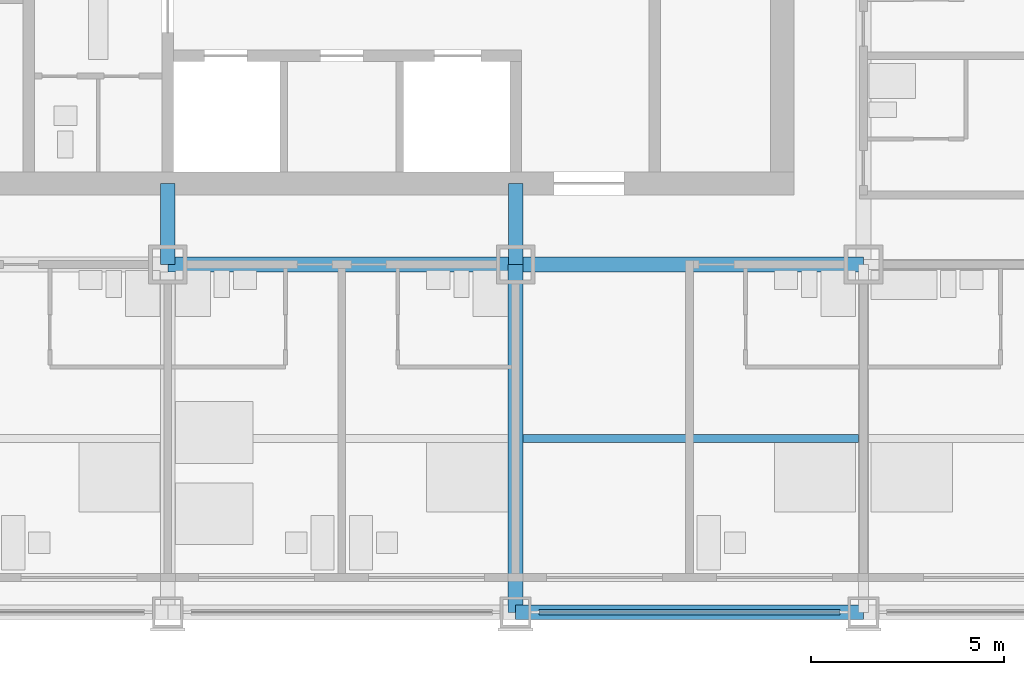
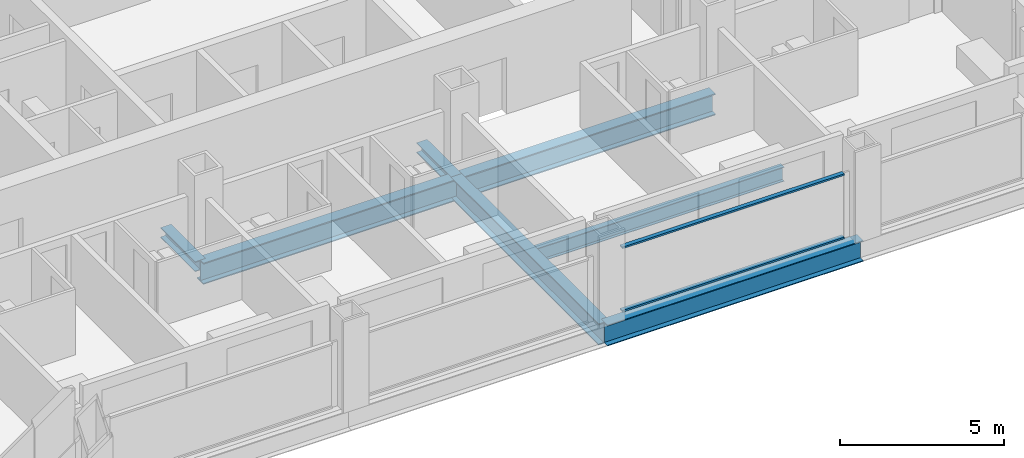
# One storey, part 3 of 13: 5 beams, 4 members, 1 element without a shape of its own.
"""IFC4 building model written with IfcOpenShell, lengths in metres."""

from ifc_helpers import new_model, si_unit, direction, frame, origin, origin_2d, place, context, subcontext, project, spatial, rectangle, i_section, extrude, material, material_profile, profile_set, type_object, element, aggregate, save


model = new_model("IFC4")

# Units and contexts
model_context = context("Model", 3, precision=1e-05, world=origin(), true_north=direction((0.0, 1.0)))
body_context = subcontext(model_context, "Body", "Model", "MODEL_VIEW")
ifc_project = project(units=[si_unit("LENGTHUNIT", "METRE"), si_unit("AREAUNIT", "SQUARE_METRE"), si_unit("VOLUMEUNIT", "CUBIC_METRE"), si_unit("PLANEANGLEUNIT", "RADIAN"), si_unit("MASSUNIT", "GRAM", prefix="KILO")], contexts=[model_context])

# Site, building, storey
site_placement = place(None, origin())
site = spatial("IfcSite", under=ifc_project, at=site_placement, CompositionType="ELEMENT")
building_placement = place(site_placement, origin())
building = spatial("IfcBuilding", under=site, at=building_placement, Name="Loomwork Tower", CompositionType="ELEMENT")
storey_placement = place(building_placement, frame((0.0, 0.0, 163.800048828125)))
storey = spatial("IfcBuildingStorey", under=building, at=storey_placement, Name="L44", CompositionType="ELEMENT", Elevation=163.800048828125)

# Beams
ifc_material_1 = material(Name="Steel ASTM A992", Category="steel")
ifc_material_profile_1 = material_profile(ifc_material_1, i_section(OverallWidth=0.383544921875, OverallDepth=0.794921875, WebThickness=0.02099609375, FlangeThickness=0.0380859375, at=origin_2d()), Name="W30x235")
ifc_profile_set_1 = profile_set([ifc_material_profile_1], Name="Steel ASTM A992")
beam_type_1 = type_object("IfcBeamType", Name="CORE FLANK GIRDER W30x235", PredefinedType="BEAM", material=ifc_profile_set_1)
for number, where, z_axis, x_axis, name in (
    (1, (18.0, 9.0, -0.59765625), (1.0, 0.0, 0.0), (0.0, 1.0, 0.0), "Core Flank Girder E/4-E/5 L44"),
    (2, (27.0, 9.0, -0.59765625), (1.0, 0.0, 0.0), (0.0, 1.0, 0.0), "Core Flank Girder E/5-E/6 L44"),
    (3, (27.0, 0.0, -0.59765625), (0.0, 1.0, 0.0), (-1.0, 0.0, 0.0), "Core Flank Girder D/5-E/5 L44"),
):
    element("IfcBeam", number, at=place(storey_placement, frame(where, z_axis=z_axis, x_axis=x_axis)), inside=storey, type_object=beam_type_1, Name=name, PredefinedType="BEAM", context=body_context, shape_type="SweptSolid", body=[
        extrude(i_section(OverallWidth=0.383544921875, OverallDepth=0.794921875, WebThickness=0.02099609375, FlangeThickness=0.0380859375, at=origin_2d()), origin(), (0.0, 0.0, 1.0), 9.0),
    ])

# Members
ifc_material_2 = material(Name="Steel ASTM A992", Category="steel")
ifc_material_profile_2 = material_profile(ifc_material_2, i_section(OverallWidth=0.373291015625, OverallDepth=0.373291015625, WebThickness=0.016357421875, FlangeThickness=0.026123046875, at=origin_2d()), Name="W14x132")
ifc_profile_set_2 = profile_set([ifc_material_profile_2], Name="Steel ASTM A992")
member_type_1 = type_object("IfcMemberType", Name="CORE LINK STRUT W14x132", PredefinedType="STRUT", material=ifc_profile_set_2)
for number, where, z_axis, x_axis, name in (
    (4, (27.0, 9.0, -0.38671875), (0.0, 1.0, 0.0), (-1.0, 0.0, 0.0), "Core link strut E/5-27.000,11.100 L44"),
    (5, (18.0, 9.0, -0.38671875), (0.0, 1.0, 0.0), (-1.0, 0.0, 0.0), "Core link strut E/4-18.000,11.100 L44"),
):
    element("IfcMember", number, at=place(storey_placement, frame(where, z_axis=z_axis, x_axis=x_axis)), inside=storey, type_object=member_type_1, Name=name, PredefinedType="STRUT", context=body_context, shape_type="SweptSolid", body=[
        extrude(i_section(OverallWidth=0.373291015625, OverallDepth=0.373291015625, WebThickness=0.016357421875, FlangeThickness=0.026123046875, at=origin_2d()), origin(), (0.0, 0.0, 1.0), 2.10009765625),
    ])

# Beam
ifc_material_3 = material(Name="Steel ASTM A992", Category="steel")
ifc_material_profile_3 = material_profile(ifc_material_3, i_section(OverallWidth=0.2109375, OverallDepth=0.53857421875, WebThickness=0.011474609375, FlangeThickness=0.018798828125, at=origin_2d()), Name="W21x73")
ifc_profile_set_3 = profile_set([ifc_material_profile_3], Name="Steel ASTM A992")
beam_type_2 = type_object("IfcBeamType", Name="FLOOR JOIST W21x73", PredefinedType="JOIST", material=ifc_profile_set_3)
beam_1_placement = place(storey_placement, frame((27.19091796875, 4.5, -0.46923828125), z_axis=(1.0, 0.0, 0.0), x_axis=(0.0, 1.0, 0.0)))
element("IfcBeam", 6, at=beam_1_placement, inside=storey, type_object=beam_type_2, Name="Floor Joist 27.000,4.500-36.000,4.500 L44", PredefinedType="JOIST", context=body_context, shape_type="SweptSolid", body=[
    extrude(i_section(OverallWidth=0.2109375, OverallDepth=0.53857421875, WebThickness=0.011474609375, FlangeThickness=0.018798828125, at=origin_2d()), origin(), (0.0, 0.0, 1.0), 8.676025390625),
])

# Curtain wall, members
ifc_material_4 = material(Name="Aluminium curtain wall frame", Category="aluminium")
curtain_wall_type = type_object("IfcCurtainWallType", Name="Outer skin glazing hotel", PredefinedType="NOTDEFINED", material=ifc_material_4)
curtain_wall_placement = place(storey_placement, origin())
curtain_wall = element("IfcCurtainWall", 7, at=curtain_wall_placement, inside=storey, type_object=curtain_wall_type, Name="Outer skin glazing hotel cw/S-27", PredefinedType="NOTDEFINED")
ifc_material_5 = material(Name="Aluminium curtain wall frame", Category="aluminium")
ifc_material_profile_4 = material_profile(ifc_material_5, rectangle(XDim=0.14990234375, YDim=0.06494140625, at=origin_2d()), Name="AL 65x150")
ifc_profile_set_4 = profile_set([ifc_material_profile_4], Name="Aluminium curtain wall frame")
member_type_2 = type_object("IfcMemberType", Name="Outer skin glazing hotel transom", PredefinedType="USERDEFINED", material=ifc_profile_set_4)
member_1_placement = place(storey_placement, frame((27.60009765625, 0.0, 0.032470703125), z_axis=(1.0, 0.0, 0.0), x_axis=(0.0, 1.0, 0.0)))
member_1 = element("IfcMember", 8, at=member_1_placement, type_object=member_type_2, Name="CW1 transom 1.1", ObjectType="TRANSOM", PredefinedType="USERDEFINED", context=body_context, shape_type="SweptSolid", body=[
    extrude(rectangle(XDim=0.14990234375, YDim=0.06494140625, at=origin_2d()), origin(), (0.0, 0.0, 1.0), 7.7998046875),
])
member_2_placement = place(storey_placement, frame((27.60009765625, 0.0, 2.3876953125), z_axis=(1.0, 0.0, 0.0), x_axis=(0.0, 1.0, 0.0)))
member_2 = element("IfcMember", 9, at=member_2_placement, type_object=member_type_2, Name="CW1 transom 1.2", ObjectType="TRANSOM", PredefinedType="USERDEFINED", context=body_context, shape_type="SweptSolid", body=[
    extrude(rectangle(XDim=0.14990234375, YDim=0.06494140625, at=origin_2d()), origin(), (0.0, 0.0, 1.0), 7.7998046875),
])
aggregate(curtain_wall, [member_1, member_2])

# Beam
ifc_material_6 = material(Name="Steel ASTM A992", Category="steel")
ifc_material_profile_5 = material_profile(ifc_material_6, i_section(OverallWidth=0.381103515625, OverallDepth=0.77978515625, WebThickness=0.01806640625, FlangeThickness=0.0302734375, at=origin_2d()), Name="W30x191")
ifc_profile_set_5 = profile_set([ifc_material_profile_5], Name="Steel ASTM A992")
beam_type_3 = type_object("IfcBeamType", Name="SPANDREL GIRDER W30x191", PredefinedType="SPANDREL", material=ifc_profile_set_5)
beam_2_placement = place(storey_placement, frame((27.0, 0.0, -0.58984375), z_axis=(1.0, 0.0, 0.0), x_axis=(0.0, 1.0, 0.0)))
element("IfcBeam", 10, at=beam_2_placement, inside=storey, type_object=beam_type_3, Name="Spandrel Girder D/5-D/6 L44", PredefinedType="SPANDREL", context=body_context, shape_type="SweptSolid", body=[
    extrude(i_section(OverallWidth=0.381103515625, OverallDepth=0.77978515625, WebThickness=0.01806640625, FlangeThickness=0.0302734375, at=origin_2d()), origin(), (0.0, 0.0, 1.0), 9.0),
])

save(model, "model.ifc")
